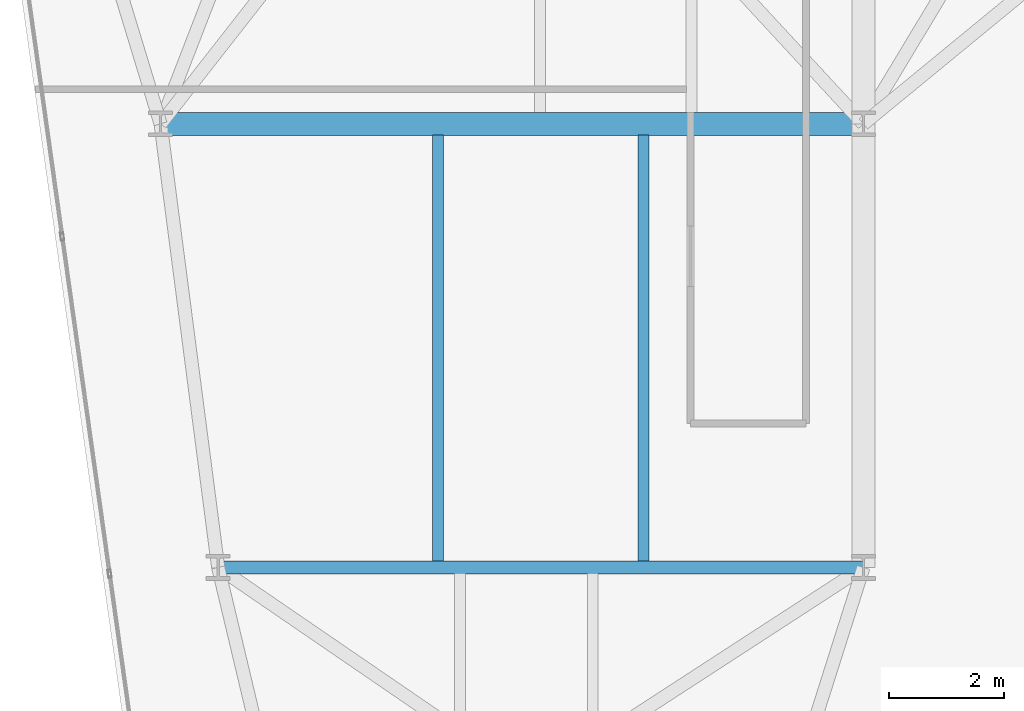
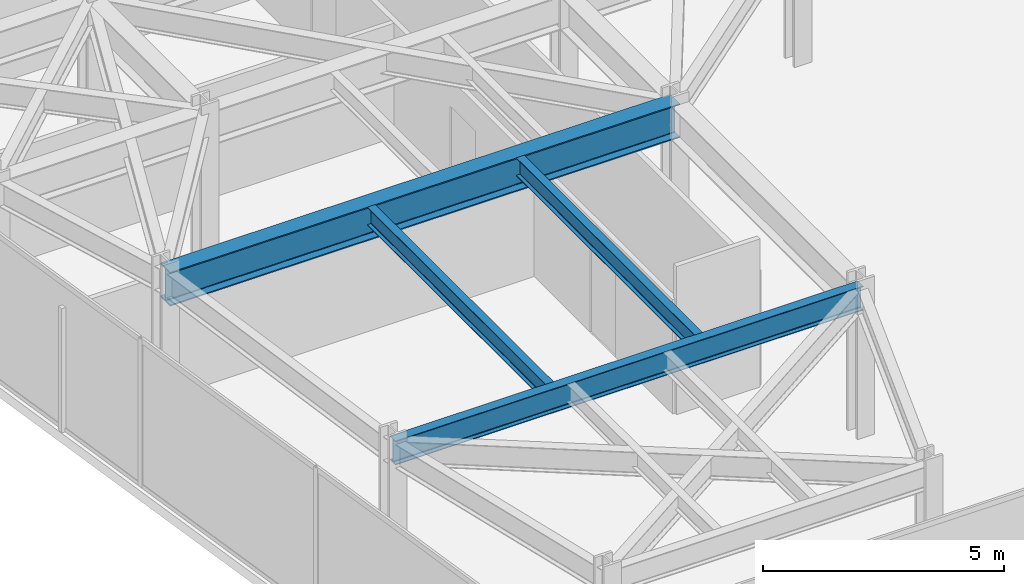
# One storey, part 6 of 26: 4 beams.
"""IFC4 building model written with IfcOpenShell, lengths in metres."""

from ifc_helpers import new_model, si_unit, direction, frame, origin, origin_2d, place, context, subcontext, project, spatial, i_section, extrude, material, material_profile, profile_set, type_object, element, save


model = new_model("IFC4")

# Units and contexts
model_context = context("Model", 3, precision=1e-05, world=origin(), true_north=direction((0.0, 1.0)))
body_context = subcontext(model_context, "Body", "Model", "MODEL_VIEW")
ifc_project = project(units=[si_unit("LENGTHUNIT", "METRE"), si_unit("AREAUNIT", "SQUARE_METRE"), si_unit("VOLUMEUNIT", "CUBIC_METRE"), si_unit("PLANEANGLEUNIT", "RADIAN"), si_unit("MASSUNIT", "GRAM", prefix="KILO")], contexts=[model_context])

# Site, building, storey
site_placement = place(None, origin())
site = spatial("IfcSite", under=ifc_project, at=site_placement, CompositionType="ELEMENT")
building_placement = place(site_placement, origin())
building = spatial("IfcBuilding", under=site, at=building_placement, Name="Kravanh Interchange Tower", CompositionType="ELEMENT")
storey_placement = place(building_placement, frame((0.0, 0.0, 136.0)))
storey = spatial("IfcBuildingStorey", under=building, at=storey_placement, Name="L32", CompositionType="ELEMENT", Elevation=136.0)

# Beams
ifc_material_1 = material(Name="Structural Steel S355", Category="steel")
ifc_material_profile_1 = material_profile(ifc_material_1, i_section(OverallWidth=0.39990234375, OverallDepth=0.85595703125, WebThickness=0.018310546875, FlangeThickness=0.029296875, FilletRadius=0.02490234375, at=origin_2d()), Name="W33X201")
ifc_profile_set_1 = profile_set([ifc_material_profile_1], Name="Structural Steel S355")
beam_type_1 = type_object("IfcBeamType", Name="Floor Beam W33X201 Structural Steel S355", PredefinedType="BEAM", material=ifc_profile_set_1)
beam_1_placement = place(storey_placement, frame((15.0, 22.199951171875, 3.322021484375), z_axis=(1.0, 0.0, 0.0), x_axis=(0.0, 1.0, 0.0)))
element("IfcBeam", 1, at=beam_1_placement, inside=storey, type_object=beam_type_1, Name="L32 Primary Floor Girder 108", PredefinedType="BEAM", context=body_context, shape_type="SweptSolid", body=[
    extrude(i_section(OverallWidth=0.39990234375, OverallDepth=0.85595703125, WebThickness=0.018310546875, FlangeThickness=0.029296875, FilletRadius=0.02490234375, at=origin_2d()), origin(), (0.0, 0.0, 1.0), 12.199951171875),
])
ifc_material_2 = material(Name="Structural Steel S355", Category="steel")
ifc_material_profile_2 = material_profile(ifc_material_2, i_section(OverallWidth=0.18994140625, OverallDepth=0.45703125, WebThickness=0.009033203125, FlangeThickness=0.014404296875, FilletRadius=0.01806640625, at=origin_2d()), Name="W18X50")
ifc_profile_set_2 = profile_set([ifc_material_profile_2], Name="Structural Steel S355")
beam_type_2 = type_object("IfcBeamType", Name="Floor Joist W18X50 Structural Steel S355", PredefinedType="JOIST", material=ifc_profile_set_2)
for number, where, z_axis, x_axis, name in (
    (2, (19.818115234375, 14.60888671875, 3.521484375), (0.0, 1.0, 0.0), (-1.0, 0.0, 0.0), "L32 Secondary Floor Joist 5"),
    (3, (23.382080078125, 14.60888671875, 3.521484375), (0.0, 1.0, 0.0), (-1.0, 0.0, 0.0), "L32 Secondary Floor Joist 6"),
):
    element("IfcBeam", number, at=place(storey_placement, frame(where, z_axis=z_axis, x_axis=x_axis)), inside=storey, type_object=beam_type_2, Name=name, PredefinedType="JOIST", context=body_context, shape_type="SweptSolid", body=[
        extrude(i_section(OverallWidth=0.18994140625, OverallDepth=0.45703125, WebThickness=0.009033203125, FlangeThickness=0.014404296875, FilletRadius=0.01806640625, at=origin_2d()), origin(), (0.0, 0.0, 1.0), 7.39599609375),
    ])
ifc_material_3 = material(Name="Structural Steel S355", Category="steel")
ifc_material_profile_3 = material_profile(ifc_material_3, i_section(OverallWidth=0.22802734375, OverallDepth=0.60791015625, WebThickness=0.01123046875, FlangeThickness=0.017333984375, FilletRadius=0.02197265625, at=origin_2d()), Name="W24X76")
ifc_profile_set_3 = profile_set([ifc_material_profile_3], Name="Structural Steel S355")
beam_type_3 = type_object("IfcBeamType", Name="Floor Spandrel W24X76 Structural Steel S355", PredefinedType="SPANDREL", material=ifc_profile_set_3)
beam_2_placement = place(storey_placement, frame((16.0, 14.5, 3.446044921875), z_axis=(1.0, 0.0, 0.0), x_axis=(0.0, 1.0, 0.0)))
element("IfcBeam", 4, at=beam_2_placement, inside=storey, type_object=beam_type_3, Name="L32 Perimeter Spandrel 101", PredefinedType="SPANDREL", context=body_context, shape_type="SweptSolid", body=[
    extrude(i_section(OverallWidth=0.22802734375, OverallDepth=0.60791015625, WebThickness=0.01123046875, FlangeThickness=0.017333984375, FilletRadius=0.02197265625, at=origin_2d()), origin(), (0.0, 0.0, 1.0), 11.199951171875),
])

save(model, "model.ifc")
